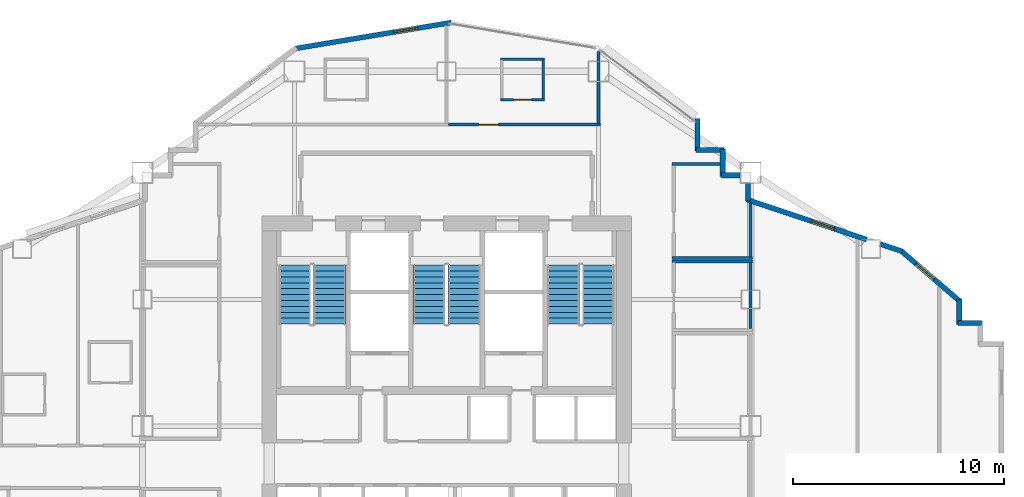
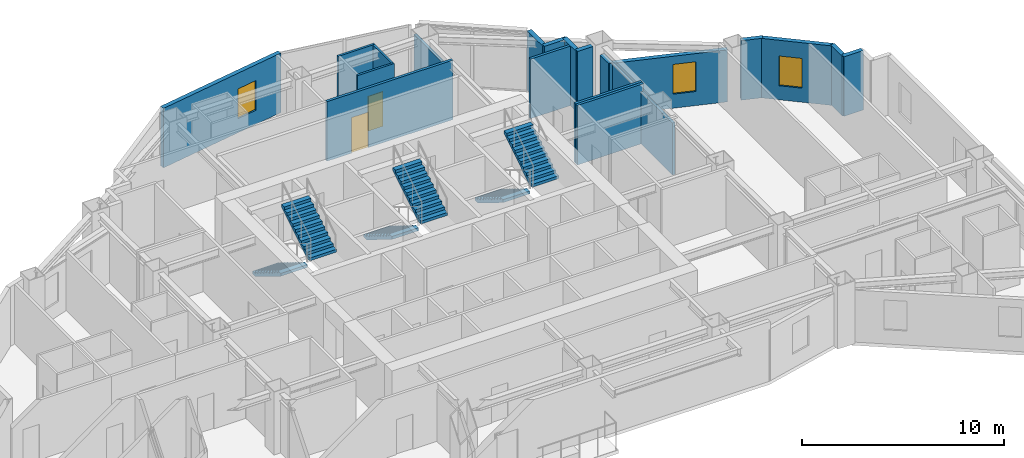
# One storey, part 12 of 14: 21 walls, 6 stair flights, 3 windows, 2 doors, 5 openings, 3 elements without a shape of their own.
"""IFC4 building model written with IfcOpenShell, lengths in metres."""

import ifcopenshell
import ifcopenshell.guid

model = None  # the IFC model being written
_history = None  # IfcOwnerHistory: only IFC2X3 demands one
_inside = {}  # id of a spatial element -> (the spatial element, [elements in it])
_under = {}  # id of a project, library or spatial element -> (it, [spatial elements below it])
_declared = {}  # id of a project -> (the project, [libraries it declares])
_typed = {}  # id of a type object -> (the type object, [elements of that type])
_made_of = {}  # id of a material, layer set ... -> (it, [elements and type objects made of it])


def new_model(schema):
    """Start an empty IFC model of exactly this schema.

    Asked for "IFC4X3", IfcOpenShell would pick the latest addendum, in which some entities
    have other attributes; the version numbers below select the first issue.
    IFC2X3 requires an IfcOwnerHistory on every rooted entity: one is made here for all.
    """
    global model, _history
    if schema == "IFC4X3":
        model = ifcopenshell.file(schema_version=(4, 3, 0, 0))
    else:
        model = ifcopenshell.file(schema=schema)
    _inside.clear()
    _under.clear()
    _declared.clear()
    _typed.clear()
    _made_of.clear()
    _history = None
    if model.schema == "IFC2X3":
        org = make("IfcOrganization", Name="unknown")
        user = make(
            "IfcPersonAndOrganization",
            ThePerson=make("IfcPerson", FamilyName="unknown"),
            TheOrganization=org,
        )
        app = make(
            "IfcApplication",
            ApplicationDeveloper=org,
            Version="unknown",
            ApplicationFullName="unknown",
            ApplicationIdentifier="unknown",
        )
        _history = make(
            "IfcOwnerHistory",
            OwningUser=user,
            OwningApplication=app,
            ChangeAction="ADDED",
            CreationDate=0,
        )
    return model


def make(cls, **values):
    """One entity of the class cls with the attributes given. An attribute that is None is left unset."""
    return model.create_entity(
        cls, **{name: value for name, value in values.items() if value is not None}
    )


def rooted(cls, **values):
    """An entity with a GlobalId (a new one), such as an element, a storey or a relation."""
    return make(cls, GlobalId=ifcopenshell.guid.new(), OwnerHistory=_history, **values)


def si_unit(unit_type, name, prefix=None):
    """IfcSIUnit, for example si_unit("LENGTHUNIT", "METRE", prefix="MILLI")."""
    return make("IfcSIUnit", UnitType=unit_type, Prefix=prefix, Name=name)


def assignment(units):
    """IfcUnitAssignment: the units of a project."""
    return None if units is None else make("IfcUnitAssignment", Units=units)


def point(xyz):
    """IfcCartesianPoint."""
    return None if xyz is None else make("IfcCartesianPoint", Coordinates=xyz)


def direction(xyz):
    """IfcDirection."""
    return None if xyz is None else make("IfcDirection", DirectionRatios=xyz)


def frame(location, z_axis=None, x_axis=None):
    """IfcAxis2Placement3D, a coordinate frame: its origin and axes. An axis left out is left unset."""
    return make(
        "IfcAxis2Placement3D",
        Location=point(location),
        Axis=direction(z_axis),
        RefDirection=direction(x_axis),
    )


def frame_2d(location, x_axis=None):
    """IfcAxis2Placement2D, a coordinate frame in the plane: its origin and x axis."""
    return make(
        "IfcAxis2Placement2D", Location=point(location), RefDirection=direction(x_axis)
    )


def origin():
    """The frame at (0, 0, 0) with its axes left unset."""
    return frame((0.0, 0.0, 0.0))


def place(relative_to, where):
    """IfcLocalPlacement: puts the frame where relative to a parent placement (None: the world)."""
    return make(
        "IfcLocalPlacement", PlacementRelTo=relative_to, RelativePlacement=where
    )


def context(
    kind, dimensions, precision=None, world=None, true_north=None, identifier=None
):
    """IfcGeometricRepresentationContext, for example the 3D "Model" context."""
    return make(
        "IfcGeometricRepresentationContext",
        ContextIdentifier=identifier,
        ContextType=kind,
        CoordinateSpaceDimension=dimensions,
        Precision=precision,
        WorldCoordinateSystem=world,
        TrueNorth=true_north,
    )


def subcontext(parent, identifier, kind, view, scale=None):
    """IfcGeometricRepresentationSubContext, for example "Body" below "Model"."""
    return make(
        "IfcGeometricRepresentationSubContext",
        ContextIdentifier=identifier,
        ContextType=kind,
        ParentContext=parent,
        TargetScale=scale,
        TargetView=view,
    )


def project(units=None, contexts=None):
    """IfcProject with its units and contexts."""
    return rooted(
        "IfcProject",
        Name="project",
        RepresentationContexts=contexts,
        UnitsInContext=assignment(units),
    )


def spatial(cls, under=None, at=None, **own):
    """A site, building, storey or space (cls), placed at a placement, below another one or the project."""
    s = rooted(cls, ObjectPlacement=at, **own)
    if under is not None:
        _under.setdefault(under.id(), (under, []))[1].append(s)
    return s


def polyline(points):
    """IfcPolyline through the points."""
    return make("IfcPolyline", Points=[point(p) for p in points])


def profile(cls, at=None, kind="AREA", **sizes):
    """A parametric profile (cls). Its sizes go by their IFC names, for example OverallWidth=200.0."""
    return make(cls, ProfileType=kind, Position=at, **sizes)


def rectangle(**sizes):
    """IfcRectangleProfileDef."""
    return profile("IfcRectangleProfileDef", **sizes)


def outline(outer, holes=None, kind="AREA"):
    """IfcArbitraryClosedProfileDef: a profile drawn as a closed curve; with holes, ...WithVoids."""
    if holes is None:
        return make("IfcArbitraryClosedProfileDef", ProfileType=kind, OuterCurve=outer)
    return make(
        "IfcArbitraryProfileDefWithVoids",
        ProfileType=kind,
        OuterCurve=outer,
        InnerCurves=holes,
    )


def extrude(swept, where, along, depth):
    """IfcExtrudedAreaSolid: the profile swept, set in the frame where, extruded along a direction by depth."""
    return make(
        "IfcExtrudedAreaSolid",
        SweptArea=swept,
        Position=where,
        ExtrudedDirection=direction(along),
        Depth=depth,
    )


def shape(context_of_items, identifier, shape_type, items):
    """IfcShapeRepresentation: the items that make up one representation, for example the "Body"."""
    return make(
        "IfcShapeRepresentation",
        ContextOfItems=context_of_items,
        RepresentationIdentifier=identifier,
        RepresentationType=shape_type,
        Items=items,
    )


def material(Name=None, Category=None):
    """IfcMaterial."""
    return make("IfcMaterial", Name=Name, Category=Category)


def layer(
    of_material, thickness, ventilated=None, Name=None, Category=None, Priority=None
):
    """IfcMaterialLayer: one layer of a wall or slab, of a material (None: an air gap)."""
    return make(
        "IfcMaterialLayer",
        Material=of_material,
        LayerThickness=thickness,
        IsVentilated=ventilated,
        Name=Name,
        Category=Category,
        Priority=Priority,
    )


def layer_set(layers, Name=None):
    """IfcMaterialLayerSet."""
    return make("IfcMaterialLayerSet", MaterialLayers=layers, LayerSetName=Name)


def made_of(thing, what):
    """Note that an element or type object is made of a material, layer set ...; save() writes the relation."""
    if what is not None:
        _made_of.setdefault(what.id(), (what, []))[1].append(thing)
    return thing


def type_object(cls, material=None, **own):
    """A type object (cls), such as IfcWallType, which elements share."""
    return made_of(rooted(cls, **own), material)


def element(
    cls,
    number,
    at=None,
    inside=None,
    cuts=None,
    type_object=None,
    material=None,
    context=None,
    identifier="Body",
    shape_type=None,
    held_by="IfcProductDefinitionShape",
    body=None,
    shapes=None,
    **own,
):
    """One element of the class cls, such as IfcWall. Its Tag is "e" and its number.

    at: its placement. inside: the storey or other place that contains it. cuts: it is an
    opening in that element (IfcRelVoidsElement). A single representation is given by context,
    identifier, shape_type and body (its items); several are given by shapes. held_by: the class
    of the entity that holds the representations. save() writes the other relations.
    """
    e = rooted(cls, Tag="e%d" % number, ObjectPlacement=at, **own)
    if body is not None:
        shapes = [shape(context, identifier, shape_type, body)]
    if shapes is not None:
        e.Representation = make(held_by, Representations=shapes)
    if inside is not None:
        _inside.setdefault(inside.id(), (inside, []))[1].append(e)
    if cuts is not None:
        rooted(
            "IfcRelVoidsElement", RelatingBuildingElement=cuts, RelatedOpeningElement=e
        )
    if type_object is not None:
        _typed.setdefault(type_object.id(), (type_object, []))[1].append(e)
    return made_of(e, material)


def fill(opening, filler):
    """IfcRelFillsElement: the door or window that sits in an opening."""
    return rooted(
        "IfcRelFillsElement",
        RelatingOpeningElement=opening,
        RelatedBuildingElement=filler,
    )


def aggregate(whole, parts):
    """IfcRelAggregates: a whole, such as a stair, and the parts it consists of."""
    return rooted("IfcRelAggregates", RelatingObject=whole, RelatedObjects=parts)


def save(model, path):
    """Write the relations noted so far, then the file.

    IfcRelAggregates (storeys below a building ...), IfcRelContainedInSpatialStructure (elements
    in a storey), IfcRelDefinesByType, IfcRelAssociatesMaterial and IfcRelDeclares: one each for
    every whole, place, type object, material and project.
    """
    for whole, parts in _under.values():
        aggregate(whole, parts)
    for where, things in _inside.values():
        rooted(
            "IfcRelContainedInSpatialStructure",
            RelatedElements=things,
            RelatingStructure=where,
        )
    for kind, things in _typed.values():
        rooted("IfcRelDefinesByType", RelatedObjects=things, RelatingType=kind)
    for what, things in _made_of.values():
        rooted("IfcRelAssociatesMaterial", RelatedObjects=things, RelatingMaterial=what)
    for by, libraries in _declared.values():
        rooted("IfcRelDeclares", RelatingContext=by, RelatedDefinitions=libraries)
    model.write(path)


model = new_model("IFC4")

# Units and contexts
model_context = context("Model", 3, precision=1e-05, world=origin(), true_north=direction((0.0, 1.0)))
body_context = subcontext(model_context, "Body", "Model", "MODEL_VIEW")
ifc_project = project(units=[si_unit("LENGTHUNIT", "METRE"), si_unit("AREAUNIT", "SQUARE_METRE"), si_unit("VOLUMEUNIT", "CUBIC_METRE"), si_unit("PLANEANGLEUNIT", "RADIAN"), si_unit("MASSUNIT", "GRAM", prefix="KILO")], contexts=[model_context])

# Site, building, storey
site_placement = place(None, origin())
site = spatial("IfcSite", under=ifc_project, at=site_placement, CompositionType="ELEMENT")
building_placement = place(site_placement, origin())
building = spatial("IfcBuilding", under=site, at=building_placement, Name="Haolan Belvedere Tower", CompositionType="ELEMENT")
storey_placement = place(building_placement, frame((0.0, 0.0, 148.60009765625)))
storey = spatial("IfcBuildingStorey", under=building, at=storey_placement, Name="L37", CompositionType="ELEMENT", Elevation=148.60009765625)

# Walls
ifc_material_1 = material(Name="Precast concrete C40/50", Category="concrete")
ifc_layer_1 = layer(ifc_material_1, 0.239990234375, Name="Precast concrete C40/50")
ifc_layer_set_1 = layer_set([ifc_layer_1], Name="Precast concrete C40/50")
wall_type_1 = type_object("IfcWallType", Name="WL-EXT-240", PredefinedType="SOLIDWALL", material=ifc_layer_set_1)
wall_1_placement = place(storey_placement, frame((63.735107421875, 38.47998046875, 0.0), z_axis=(0.0, 0.0, 1.0), x_axis=(-1.0, 0.0, 0.0)))
element("IfcWall", 1, at=wall_1_placement, inside=storey, type_object=wall_type_1, Name="L37 pale-metal exterior spandrel wall 17.1", PredefinedType="SOLIDWALL", context=body_context, shape_type="SweptSolid", body=[
    extrude(rectangle(XDim=1.110107421875, YDim=0.239990234375, at=frame_2d((0.55517578125, 0.0))), origin(), (0.0, 0.0, 1.0), 3.599853515625),
])
wall_2_placement = place(storey_placement, frame((62.679931640625, 38.425048828125, 0.0), z_axis=(0.0, 0.0, 1.0), x_axis=(0.0, 1.0, 0.0)))
element("IfcWall", 2, at=wall_2_placement, inside=storey, type_object=wall_type_1, Name="L37 pale-metal exterior spandrel wall 18.1", PredefinedType="SOLIDWALL", context=body_context, shape_type="SweptSolid", body=[
    extrude(rectangle(XDim=1.1748046875, YDim=0.239990234375, at=frame_2d((0.58740234375, 0.0))), origin(), (0.0, 0.0, 1.0), 3.599853515625),
])

# Wall, opening, window
wall_3_placement = place(storey_placement, frame((62.7216796875, 39.509033203125, 0.0), z_axis=(0.0, 0.0, 1.0), x_axis=(-0.759247334792, 0.650802185469, 0.0)))
wall_3 = element("IfcWall", 3, at=wall_3_placement, inside=storey, type_object=wall_type_1, Name="L37 pale-metal exterior spandrel wall 19.1", PredefinedType="SOLIDWALL", context=body_context, shape_type="SweptSolid", body=[
    extrude(rectangle(XDim=3.71923828125, YDim=0.239990234375, at=frame_2d((1.859619140625, 0.0))), origin(), (0.0, 0.0, 1.0), 3.599853515625),
])
opening_1_placement = place(wall_3_placement, frame((1.60009765625, 0.0, 0.85009765625)))
opening_1 = element("IfcOpeningElement", 4, at=opening_1_placement, cuts=wall_3, Name="Opening W-02", PredefinedType="OPENING", context=body_context, shape_type="SweptSolid", body=[
    extrude(rectangle(XDim=1.14990234375, YDim=1.800048828125, at=frame_2d((0.574951171875, 0.89990234375))), frame((0.0, 0.1298828125, 0.0), z_axis=(0.0, -1.0, 0.0), x_axis=(1.0, 0.0, 0.0)), (0.0, 0.0, 1.0), 0.260009765625),
])
ifc_material_2 = material(Name="Anodised aluminium 6063-T6 and Low-E glass", Category="aluminium")
window_type = type_object("IfcWindowType", Name="WN-DECO-Z2", PartitioningType="SINGLE_PANEL", PredefinedType="WINDOW", material=ifc_material_2)
window_1_placement = place(opening_1_placement, origin())
window_1 = element("IfcWindow", 5, at=window_1_placement, inside=storey, type_object=window_type, Name="L37 Art Deco chevron window 1", OverallHeight=1.800048828125, OverallWidth=1.14990234375, PartitioningType="SINGLE_PANEL", PredefinedType="WINDOW", context=body_context, shape_type="SweptSolid", body=[
    extrude(rectangle(XDim=1.14990234375, YDim=1.800048828125, at=frame_2d((0.574951171875, 0.89990234375))), frame((0.0, 0.030029296875, 0.0), z_axis=(0.0, -1.0, 0.0), x_axis=(1.0, 0.0, 0.0)), (0.0, 0.0, 1.0), 0.06005859375),
])
fill(opening_1, window_1)

# Wall
wall_4_placement = place(storey_placement, frame((59.991943359375, 41.876220703125, 0.0), z_axis=(0.0, 0.0, 1.0), x_axis=(-0.948661238983, 0.316293935527, 0.0)))
element("IfcWall", 6, at=wall_4_placement, inside=storey, type_object=wall_type_1, Name="L37 pale-metal exterior spandrel wall 20.1", PredefinedType="SOLIDWALL", context=body_context, shape_type="SweptSolid", body=[
    extrude(rectangle(XDim=1.10693359375, YDim=0.239990234375, at=frame_2d((0.553466796875, 0.0))), origin(), (0.0, 0.0, 1.0), 3.599853515625),
])

# Wall, opening, window
wall_5_placement = place(storey_placement, frame((58.294677734375, 42.44189453125, 0.0), z_axis=(0.0, 0.0, 1.0), x_axis=(-0.948687385027, 0.316215504823, 0.0)))
wall_5 = element("IfcWall", 7, at=wall_5_placement, inside=storey, type_object=wall_type_1, Name="L37 pale-metal exterior spandrel wall 20.2", PredefinedType="SOLIDWALL", context=body_context, shape_type="SweptSolid", body=[
    extrude(rectangle(XDim=5.973388671875, YDim=0.239990234375, at=frame_2d((2.98681640625, 0.0))), origin(), (0.0, 0.0, 1.0), 3.14501953125),
])
opening_2_placement = place(wall_5_placement, frame((1.60009765625, 0.0, 0.85009765625)))
opening_2 = element("IfcOpeningElement", 8, at=opening_2_placement, cuts=wall_5, Name="Opening W-02", PredefinedType="OPENING", context=body_context, shape_type="SweptSolid", body=[
    extrude(rectangle(XDim=1.14990234375, YDim=1.800048828125, at=frame_2d((0.574951171875, 0.89990234375))), frame((0.0, 0.1298828125, 0.0), z_axis=(0.0, -1.0, 0.0), x_axis=(1.0, 0.0, 0.0)), (0.0, 0.0, 1.0), 0.260009765625),
])
window_2_placement = place(opening_2_placement, origin())
window_2 = element("IfcWindow", 9, at=window_2_placement, inside=storey, type_object=window_type, Name="L37 Art Deco chevron window 1", OverallHeight=1.800048828125, OverallWidth=1.14990234375, PartitioningType="SINGLE_PANEL", PredefinedType="WINDOW", context=body_context, shape_type="SweptSolid", body=[
    extrude(rectangle(XDim=1.14990234375, YDim=1.800048828125, at=frame_2d((0.574951171875, 0.89990234375))), frame((0.0, 0.030029296875, 0.0), z_axis=(0.0, -1.0, 0.0), x_axis=(1.0, 0.0, 0.0)), (0.0, 0.0, 1.0), 0.06005859375),
])
fill(opening_2, window_2)

# Walls
wall_6_placement = place(storey_placement, frame((52.679931640625, 44.258544921875, 0.0), z_axis=(0.0, 0.0, 1.0), x_axis=(0.0, 1.0, 0.0)))
element("IfcWall", 10, at=wall_6_placement, inside=storey, type_object=wall_type_1, Name="L37 pale-metal exterior spandrel wall 21.1", PredefinedType="SOLIDWALL", context=body_context, shape_type="SweptSolid", body=[
    extrude(rectangle(XDim=0.849365234375, YDim=0.239990234375, at=frame_2d((0.4248046875, 0.0))), origin(), (0.0, 0.0, 1.0), 3.14501953125),
])
wall_7_placement = place(storey_placement, frame((52.30810546875, 45.47998046875, 0.0), z_axis=(0.0, 0.0, 1.0), x_axis=(-1.0, 0.0, 0.0)))
element("IfcWall", 11, at=wall_7_placement, inside=storey, type_object=wall_type_1, Name="L37 pale-metal exterior spandrel wall 22.1", PredefinedType="SOLIDWALL", context=body_context, shape_type="SweptSolid", body=[
    extrude(rectangle(XDim=0.883056640625, YDim=0.239990234375, at=frame_2d((0.44140625, 0.0))), origin(), (0.0, 0.0, 1.0), 3.599853515625),
])
wall_8_placement = place(storey_placement, frame((51.47998046875, 45.425048828125, 0.0), z_axis=(0.0, 0.0, 1.0), x_axis=(0.0, 1.0, 0.0)))
element("IfcWall", 12, at=wall_8_placement, inside=storey, type_object=wall_type_1, Name="L37 pale-metal exterior spandrel wall 23.1", PredefinedType="SOLIDWALL", context=body_context, shape_type="SweptSolid", body=[
    extrude(rectangle(XDim=1.31005859375, YDim=0.239990234375, at=frame_2d((0.655029296875, 0.0))), origin(), (0.0, 0.0, 1.0), 3.599853515625),
])
wall_9_placement = place(storey_placement, frame((51.534912109375, 46.679931640625, 0.0), z_axis=(0.0, 0.0, 1.0), x_axis=(-1.0, 0.0, 0.0)))
element("IfcWall", 13, at=wall_9_placement, inside=storey, type_object=wall_type_1, Name="L37 pale-metal exterior spandrel wall 24.1", PredefinedType="SOLIDWALL", context=body_context, shape_type="SweptSolid", body=[
    extrude(rectangle(XDim=1.309814453125, YDim=0.239990234375, at=frame_2d((0.65478515625, 0.0))), origin(), (0.0, 0.0, 1.0), 3.599853515625),
])
wall_10_placement = place(storey_placement, frame((50.280029296875, 46.625, 0.0), z_axis=(0.0, 0.0, 1.0), x_axis=(0.0, 1.0, 0.0)))
element("IfcWall", 14, at=wall_10_placement, inside=storey, type_object=wall_type_1, Name="L37 pale-metal exterior spandrel wall 25.1", PredefinedType="SOLIDWALL", context=body_context, shape_type="SweptSolid", body=[
    extrude(rectangle(XDim=1.5400390625, YDim=0.239990234375, at=frame_2d((0.77001953125, 0.0))), origin(), (0.0, 0.0, 1.0), 3.599853515625),
])

# Wall, opening, window
wall_11_placement = place(storey_placement, frame((38.621826171875, 52.71533203125, 0.0), z_axis=(0.0, 0.0, 1.0), x_axis=(-0.98639129485, -0.164414760418, 0.0)))
wall_11 = element("IfcWall", 15, at=wall_11_placement, inside=storey, type_object=wall_type_1, Name="L37 pale-metal exterior spandrel wall 28.1", PredefinedType="SOLIDWALL", context=body_context, shape_type="SweptSolid", body=[
    extrude(rectangle(XDim=7.530029296875, YDim=0.239990234375, at=frame_2d((3.76513671875, 0.0))), origin(), (0.0, 0.0, 1.0), 3.599853515625),
])
opening_3_placement = place(wall_11_placement, frame((1.60009765625, 0.0, 0.85009765625)))
opening_3 = element("IfcOpeningElement", 16, at=opening_3_placement, cuts=wall_11, Name="Opening W-02", PredefinedType="OPENING", context=body_context, shape_type="SweptSolid", body=[
    extrude(rectangle(XDim=1.14990234375, YDim=1.800048828125, at=frame_2d((0.574951171875, 0.89990234375))), frame((0.0, 0.1298828125, 0.0), z_axis=(0.0, -1.0, 0.0), x_axis=(1.0, 0.0, 0.0)), (0.0, 0.0, 1.0), 0.260009765625),
])
window_3_placement = place(opening_3_placement, origin())
window_3 = element("IfcWindow", 17, at=window_3_placement, inside=storey, type_object=window_type, Name="L37 Art Deco chevron window 1", OverallHeight=1.800048828125, OverallWidth=1.14990234375, PartitioningType="SINGLE_PANEL", PredefinedType="WINDOW", context=body_context, shape_type="SweptSolid", body=[
    extrude(rectangle(XDim=1.14990234375, YDim=1.800048828125, at=frame_2d((0.574951171875, 0.89990234375))), frame((0.0, 0.030029296875, 0.0), z_axis=(0.0, -1.0, 0.0), x_axis=(1.0, 0.0, 0.0)), (0.0, 0.0, 1.0), 0.06005859375),
])
fill(opening_3, window_3)

# Walls
ifc_material_3 = material(Name="Double gypsum acoustic stud partition", Category="masonry")
ifc_layer_2 = layer(ifc_material_3, 0.14990234375, Name="Double gypsum acoustic stud partition")
ifc_layer_set_2 = layer_set([ifc_layer_2], Name="Double gypsum acoustic stud partition")
wall_type_2 = type_object("IfcWallType", Name="WL-PART-150", PredefinedType="PARTITIONING", material=ifc_layer_set_2)
wall_12_placement = place(storey_placement, frame((49.080078125, 41.39990234375, 0.0), z_axis=(0.0, 0.0, 1.0), x_axis=(1.0, 0.0, 0.0)))
element("IfcWall", 18, at=wall_12_placement, inside=storey, type_object=wall_type_2, Name="L37 interior partition IW-L37-AWC-N", PredefinedType="PARTITIONING", context=body_context, shape_type="SweptSolid", body=[
    extrude(rectangle(XDim=3.7998046875, YDim=0.14990234375, at=frame_2d((1.89990234375, 0.0))), origin(), (0.0, 0.0, 1.0), 3.599853515625),
])
wall_13_placement = place(storey_placement, frame((52.800048828125, 38.219970703125, 0.0), z_axis=(0.0, 0.0, 1.0), x_axis=(0.0, 1.0, 0.0)))
element("IfcWall", 19, at=wall_13_placement, inside=storey, type_object=wall_type_2, Name="L37 interior partition IW-L37-AWC-E", PredefinedType="PARTITIONING", context=body_context, shape_type="SweptSolid", body=[
    extrude(rectangle(XDim=3.1201171875, YDim=0.14990234375, at=frame_2d((1.56005859375, 0.0))), origin(), (0.0, 0.0, 1.0), 3.14501953125),
])
wall_14_placement = place(storey_placement, frame((49.080078125, 46.02001953125, 0.0), z_axis=(0.0, 0.0, 1.0), x_axis=(1.0, 0.0, 0.0)))
element("IfcWall", 20, at=wall_14_placement, inside=storey, type_object=wall_type_2, Name="L37 interior partition IW-L37-CLN-N", PredefinedType="PARTITIONING", context=body_context, shape_type="SweptSolid", body=[
    extrude(rectangle(XDim=2.294921875, YDim=0.14990234375, at=frame_2d((1.1474609375, 0.0))), origin(), (0.0, 0.0, 1.0), 3.599853515625),
])
wall_15_placement = place(storey_placement, frame((49.080078125, 41.56005859375, 0.0), z_axis=(0.0, 0.0, 1.0), x_axis=(1.0, 0.0, 0.0)))
element("IfcWall", 21, at=wall_15_placement, inside=storey, type_object=wall_type_2, Name="L37 interior partition IW-L37-CLN-S", PredefinedType="PARTITIONING", context=body_context, shape_type="SweptSolid", body=[
    extrude(rectangle(XDim=3.7998046875, YDim=0.14990234375, at=frame_2d((1.89990234375, 0.0))), origin(), (0.0, 0.0, 1.0), 3.599853515625),
])
wall_16_placement = place(storey_placement, frame((52.800048828125, 41.6201171875, 0.0), z_axis=(0.0, 0.0, 1.0), x_axis=(0.0, 1.0, 0.0)))
element("IfcWall", 22, at=wall_16_placement, inside=storey, type_object=wall_type_2, Name="L37 interior partition IW-L37-CLN-E", PredefinedType="PARTITIONING", context=body_context, shape_type="SweptSolid", body=[
    extrude(rectangle(XDim=2.542724609375, YDim=0.14990234375, at=frame_2d((1.271484375, 0.0))), origin(), (0.0, 0.0, 1.0), 3.14501953125),
])

# Wall, opening, door
wall_17_placement = place(storey_placement, frame((38.501953125, 47.8798828125, 0.0), z_axis=(0.0, 0.0, 1.0), x_axis=(1.0, 0.0, 0.0)))
wall_17 = element("IfcWall", 23, at=wall_17_placement, inside=storey, type_object=wall_type_2, Name="L37 interior partition IW-L37-KN2-S", PredefinedType="PARTITIONING", context=body_context, shape_type="SweptSolid", body=[
    extrude(rectangle(XDim=7.197998046875, YDim=0.14990234375, at=frame_2d((3.59912109375, 0.0))), origin(), (0.0, 0.0, 1.0), 3.599853515625),
])
opening_4_placement = place(wall_17_placement, frame((1.41748046875, 0.0, 0.0)))
opening_4 = element("IfcOpeningElement", 24, at=opening_4_placement, cuts=wall_17, Name="Opening ID-02", PredefinedType="OPENING", context=body_context, shape_type="SweptSolid", body=[
    extrude(rectangle(XDim=0.949951171875, YDim=2.14990234375, at=frame_2d((0.47509765625, 1.074951171875))), frame((0.0, 0.0849609375, 0.0), z_axis=(0.0, -1.0, 0.0), x_axis=(1.0, 0.0, 0.0)), (0.0, 0.0, 1.0), 0.169921875),
])
ifc_material_4 = material(Name="Acoustic oak veneer fire-rated timber", Category="wood")
door_type_1 = type_object("IfcDoorType", Name="DR-GUEST-950", OperationType="NOTDEFINED", PredefinedType="DOOR", material=ifc_material_4)
door_1_placement = place(opening_4_placement, origin())
door_1 = element("IfcDoor", 25, at=door_1_placement, inside=storey, type_object=door_type_1, Name="L37 door ID-L37-KN2-ENT", OperationType="SINGLE_SWING_LEFT", OverallHeight=2.14990234375, OverallWidth=0.949951171875, PredefinedType="DOOR", context=body_context, shape_type="SweptSolid", body=[
    extrude(rectangle(XDim=0.949951171875, YDim=2.14990234375, at=frame_2d((0.47509765625, 1.074951171875))), frame((0.0, 0.02490234375, 0.0), z_axis=(0.0, -1.0, 0.0), x_axis=(1.0, 0.0, 0.0)), (0.0, 0.0, 1.0), 0.050048828125),
])
fill(opening_4, door_1)

# Walls
wall_18_placement = place(storey_placement, frame((45.60009765625, 47.93994140625, 0.0), z_axis=(0.0, 0.0, 1.0), x_axis=(0.0, 1.0, 0.0)))
element("IfcWall", 26, at=wall_18_placement, inside=storey, type_object=wall_type_2, Name="L37 interior partition IW-L37-KN2-E", PredefinedType="PARTITIONING", context=body_context, shape_type="SweptSolid", body=[
    extrude(rectangle(XDim=3.39501953125, YDim=0.14990234375, at=frame_2d((1.697509765625, 0.0))), origin(), (0.0, 0.0, 1.0), 3.0849609375),
])
ifc_material_5 = material(Name="Moisture-resistant gypsum tile partition", Category="masonry")
ifc_layer_3 = layer(ifc_material_5, 0.1201171875, Name="Moisture-resistant gypsum tile partition")
ifc_layer_set_3 = layer_set([ifc_layer_3], Name="Moisture-resistant gypsum tile partition")
wall_type_3 = type_object("IfcWallType", Name="WL-WET-120", PredefinedType="PARTITIONING", material=ifc_layer_set_3)
wall_19_placement = place(storey_placement, frame((40.949951171875, 50.97998046875, 0.0), z_axis=(0.0, 0.0, 1.0), x_axis=(1.0, 0.0, 0.0)))
element("IfcWall", 27, at=wall_19_placement, inside=storey, type_object=wall_type_3, Name="L37 interior partition IW-L37-KN2-BN", PredefinedType="PARTITIONING", context=body_context, shape_type="SweptSolid", body=[
    extrude(rectangle(XDim=2.10009765625, YDim=0.1201171875, at=frame_2d((1.050048828125, 0.0))), origin(), (0.0, 0.0, 1.0), 3.599853515625),
])

# Wall, opening, door
wall_20_placement = place(storey_placement, frame((40.949951171875, 49.06005859375, 0.0), z_axis=(0.0, 0.0, 1.0), x_axis=(1.0, 0.0, 0.0)))
wall_20 = element("IfcWall", 28, at=wall_20_placement, inside=storey, type_object=wall_type_3, Name="L37 interior partition IW-L37-KN2-BS", PredefinedType="PARTITIONING", context=body_context, shape_type="SweptSolid", body=[
    extrude(rectangle(XDim=2.10009765625, YDim=0.1201171875, at=frame_2d((1.050048828125, 0.0))), origin(), (0.0, 0.0, 1.0), 3.599853515625),
])
opening_5_placement = place(wall_20_placement, frame((0.625, 0.0, 0.0)))
opening_5 = element("IfcOpeningElement", 29, at=opening_5_placement, cuts=wall_20, Name="Opening ID-05", PredefinedType="OPENING", context=body_context, shape_type="SweptSolid", body=[
    extrude(rectangle(XDim=0.85009765625, YDim=2.10009765625, at=frame_2d((0.425048828125, 1.050048828125))), frame((0.0, 0.070068359375, 0.0), z_axis=(0.0, -1.0, 0.0), x_axis=(1.0, 0.0, 0.0)), (0.0, 0.0, 1.0), 0.14013671875),
])
ifc_material_6 = material(Name="Moisture-resistant lacquered timber", Category="wood")
door_type_2 = type_object("IfcDoorType", Name="DR-BATH-850", OperationType="NOTDEFINED", PredefinedType="DOOR", material=ifc_material_6)
door_2_placement = place(opening_5_placement, origin())
door_2 = element("IfcDoor", 30, at=door_2_placement, inside=storey, type_object=door_type_2, Name="L37 door ID-L37-KN2-BATH", OperationType="SINGLE_SWING_RIGHT", OverallHeight=2.10009765625, OverallWidth=0.85009765625, PredefinedType="DOOR", context=body_context, shape_type="SweptSolid", body=[
    extrude(rectangle(XDim=0.85009765625, YDim=2.10009765625, at=frame_2d((0.425048828125, 1.050048828125))), frame((0.0, 0.02490234375, 0.0), z_axis=(0.0, -1.0, 0.0), x_axis=(1.0, 0.0, 0.0)), (0.0, 0.0, 1.0), 0.050048828125),
])
fill(opening_5, door_2)

# Wall
wall_21_placement = place(storey_placement, frame((42.989990234375, 49.10498046875, 0.0), z_axis=(0.0, 0.0, 1.0), x_axis=(0.0, 1.0, 0.0)))
element("IfcWall", 31, at=wall_21_placement, inside=storey, type_object=wall_type_3, Name="L37 interior partition IW-L37-KN2-BE", PredefinedType="PARTITIONING", context=body_context, shape_type="SweptSolid", body=[
    extrude(rectangle(XDim=1.830078125, YDim=0.1201171875, at=frame_2d((0.9150390625, 0.0))), origin(), (0.0, 0.0, 1.0), 3.599853515625),
])

# Stair, stair flights
ifc_material_7 = material(Name="Concrete C40/50", Category="concrete")
stair_type = type_object("IfcStairType", Name="STR-DL-22R-173", PredefinedType="HALF_TURN_STAIR", material=ifc_material_7)
stair_1_placement = place(storey_placement, origin())
stair_1 = element("IfcStair", 32, at=stair_1_placement, inside=storey, type_object=stair_type, Name="L37 Smokeproof Core Exit Stair ST1", PredefinedType="HALF_TURN_STAIR")
stair_flight_type = type_object("IfcStairFlightType", Name="SFL-DL-11R-173", PredefinedType="STRAIGHT", material=ifc_material_7)
stair_flight_1_placement = place(storey_placement, frame((31.2099609375, 41.22998046875, 0.0), z_axis=(0.0, 0.0, 1.0), x_axis=(0.0, -1.0, 0.0)))
stair_flight_1 = element("IfcStairFlight", 33, at=stair_flight_1_placement, type_object=stair_flight_type, Name="ST1 flight 1", NumberOfRisers=11, NumberOfTreads=10, PredefinedType="STRAIGHT", RiserHeight=0.172727273, TreadLength=0.28, context=body_context, shape_type="SweptSolid", body=[
    extrude(outline(polyline([(0.0, 0.0), (0.0, 0.172607421875), (0.280029296875, 0.172607421875), (0.280029296875, 0.345458984375), (0.56005859375, 0.345458984375), (0.56005859375, 0.51806640625), (0.840087890625, 0.51806640625), (0.840087890625, 0.69091796875), (1.1201171875, 0.69091796875), (1.1201171875, 0.863525390625), (1.39990234375, 0.863525390625), (1.39990234375, 1.036376953125), (1.679931640625, 1.036376953125), (1.679931640625, 1.208984375), (1.9599609375, 1.208984375), (1.9599609375, 1.3818359375), (2.239990234375, 1.3818359375), (2.239990234375, 1.554443359375), (2.52001953125, 1.554443359375), (2.52001953125, 1.727294921875), (2.800048828125, 1.727294921875), (2.800048828125, 1.89990234375), (2.800048828125, 1.551025390625), (0.285400390625, 0.0), (0.0, 0.0)])), frame((0.0, 0.760009765625, 0.0), z_axis=(0.0, -1.0, 0.0), x_axis=(1.0, 0.0, 0.0)), (0.0, 0.0, 1.0), 1.52001953125),
])
stair_flight_2_placement = place(storey_placement, frame((32.8701171875, 38.429931640625, 1.89990234375), z_axis=(0.0, 0.0, 1.0), x_axis=(0.0, 1.0, 0.0)))
stair_flight_2 = element("IfcStairFlight", 34, at=stair_flight_2_placement, type_object=stair_flight_type, Name="ST1 flight 2", NumberOfRisers=11, NumberOfTreads=10, PredefinedType="STRAIGHT", RiserHeight=0.172727273, TreadLength=0.28, context=body_context, shape_type="SweptSolid", body=[
    extrude(outline(polyline([(0.0, 0.0), (0.0, 0.172607421875), (0.280029296875, 0.172607421875), (0.280029296875, 0.345458984375), (0.56005859375, 0.345458984375), (0.56005859375, 0.51806640625), (0.840087890625, 0.51806640625), (0.840087890625, 0.69091796875), (1.1201171875, 0.69091796875), (1.1201171875, 0.863525390625), (1.39990234375, 0.863525390625), (1.39990234375, 1.036376953125), (1.679931640625, 1.036376953125), (1.679931640625, 1.208984375), (1.9599609375, 1.208984375), (1.9599609375, 1.3818359375), (2.239990234375, 1.3818359375), (2.239990234375, 1.554443359375), (2.52001953125, 1.554443359375), (2.52001953125, 1.727294921875), (2.800048828125, 1.727294921875), (2.800048828125, 1.89990234375), (2.800048828125, 1.551025390625), (0.285400390625, 0.0), (0.0, 0.0)])), frame((0.0, 0.760009765625, 0.0), z_axis=(0.0, -1.0, 0.0), x_axis=(1.0, 0.0, 0.0)), (0.0, 0.0, 1.0), 1.52001953125),
])
aggregate(stair_1, [stair_flight_1, stair_flight_2])

stair_2_placement = place(storey_placement, origin())
stair_2 = element("IfcStair", 35, at=stair_2_placement, inside=storey, type_object=stair_type, Name="L37 Smokeproof Core Exit Stair ST3", PredefinedType="HALF_TURN_STAIR")
stair_flight_3_placement = place(storey_placement, frame((37.570068359375, 41.22998046875, 0.0), z_axis=(0.0, 0.0, 1.0), x_axis=(0.0, -1.0, 0.0)))
stair_flight_3 = element("IfcStairFlight", 36, at=stair_flight_3_placement, type_object=stair_flight_type, Name="ST3 flight 1", NumberOfRisers=11, NumberOfTreads=10, PredefinedType="STRAIGHT", RiserHeight=0.172727273, TreadLength=0.28, context=body_context, shape_type="SweptSolid", body=[
    extrude(outline(polyline([(0.0, 0.0), (0.0, 0.172607421875), (0.280029296875, 0.172607421875), (0.280029296875, 0.345458984375), (0.56005859375, 0.345458984375), (0.56005859375, 0.51806640625), (0.840087890625, 0.51806640625), (0.840087890625, 0.69091796875), (1.1201171875, 0.69091796875), (1.1201171875, 0.863525390625), (1.39990234375, 0.863525390625), (1.39990234375, 1.036376953125), (1.679931640625, 1.036376953125), (1.679931640625, 1.208984375), (1.9599609375, 1.208984375), (1.9599609375, 1.3818359375), (2.239990234375, 1.3818359375), (2.239990234375, 1.554443359375), (2.52001953125, 1.554443359375), (2.52001953125, 1.727294921875), (2.800048828125, 1.727294921875), (2.800048828125, 1.89990234375), (2.800048828125, 1.551025390625), (0.285400390625, 0.0), (0.0, 0.0)])), frame((0.0, 0.760009765625, 0.0), z_axis=(0.0, -1.0, 0.0), x_axis=(1.0, 0.0, 0.0)), (0.0, 0.0, 1.0), 1.52001953125),
])
stair_flight_4_placement = place(storey_placement, frame((39.22998046875, 38.429931640625, 1.89990234375), z_axis=(0.0, 0.0, 1.0), x_axis=(0.0, 1.0, 0.0)))
stair_flight_4 = element("IfcStairFlight", 37, at=stair_flight_4_placement, type_object=stair_flight_type, Name="ST3 flight 2", NumberOfRisers=11, NumberOfTreads=10, PredefinedType="STRAIGHT", RiserHeight=0.172727273, TreadLength=0.28, context=body_context, shape_type="SweptSolid", body=[
    extrude(outline(polyline([(0.0, 0.0), (0.0, 0.172607421875), (0.280029296875, 0.172607421875), (0.280029296875, 0.345458984375), (0.56005859375, 0.345458984375), (0.56005859375, 0.51806640625), (0.840087890625, 0.51806640625), (0.840087890625, 0.69091796875), (1.1201171875, 0.69091796875), (1.1201171875, 0.863525390625), (1.39990234375, 0.863525390625), (1.39990234375, 1.036376953125), (1.679931640625, 1.036376953125), (1.679931640625, 1.208984375), (1.9599609375, 1.208984375), (1.9599609375, 1.3818359375), (2.239990234375, 1.3818359375), (2.239990234375, 1.554443359375), (2.52001953125, 1.554443359375), (2.52001953125, 1.727294921875), (2.800048828125, 1.727294921875), (2.800048828125, 1.89990234375), (2.800048828125, 1.551025390625), (0.285400390625, 0.0), (0.0, 0.0)])), frame((0.0, 0.760009765625, 0.0), z_axis=(0.0, -1.0, 0.0), x_axis=(1.0, 0.0, 0.0)), (0.0, 0.0, 1.0), 1.52001953125),
])
aggregate(stair_2, [stair_flight_3, stair_flight_4])

stair_3_placement = place(storey_placement, origin())
stair_3 = element("IfcStair", 38, at=stair_3_placement, inside=storey, type_object=stair_type, Name="L37 Smokeproof Core Exit Stair ST2", PredefinedType="HALF_TURN_STAIR")
stair_flight_5_placement = place(storey_placement, frame((43.929931640625, 41.22998046875, 0.0), z_axis=(0.0, 0.0, 1.0), x_axis=(0.0, -1.0, 0.0)))
stair_flight_5 = element("IfcStairFlight", 39, at=stair_flight_5_placement, type_object=stair_flight_type, Name="ST2 flight 1", NumberOfRisers=11, NumberOfTreads=10, PredefinedType="STRAIGHT", RiserHeight=0.172727273, TreadLength=0.28, context=body_context, shape_type="SweptSolid", body=[
    extrude(outline(polyline([(0.0, 0.0), (0.0, 0.172607421875), (0.280029296875, 0.172607421875), (0.280029296875, 0.345458984375), (0.56005859375, 0.345458984375), (0.56005859375, 0.51806640625), (0.840087890625, 0.51806640625), (0.840087890625, 0.69091796875), (1.1201171875, 0.69091796875), (1.1201171875, 0.863525390625), (1.39990234375, 0.863525390625), (1.39990234375, 1.036376953125), (1.679931640625, 1.036376953125), (1.679931640625, 1.208984375), (1.9599609375, 1.208984375), (1.9599609375, 1.3818359375), (2.239990234375, 1.3818359375), (2.239990234375, 1.554443359375), (2.52001953125, 1.554443359375), (2.52001953125, 1.727294921875), (2.800048828125, 1.727294921875), (2.800048828125, 1.89990234375), (2.800048828125, 1.551025390625), (0.285400390625, 0.0), (0.0, 0.0)])), frame((0.0, 0.760009765625, 0.0), z_axis=(0.0, -1.0, 0.0), x_axis=(1.0, 0.0, 0.0)), (0.0, 0.0, 1.0), 1.52001953125),
])
stair_flight_6_placement = place(storey_placement, frame((45.590087890625, 38.429931640625, 1.89990234375), z_axis=(0.0, 0.0, 1.0), x_axis=(0.0, 1.0, 0.0)))
stair_flight_6 = element("IfcStairFlight", 40, at=stair_flight_6_placement, type_object=stair_flight_type, Name="ST2 flight 2", NumberOfRisers=11, NumberOfTreads=10, PredefinedType="STRAIGHT", RiserHeight=0.172727273, TreadLength=0.28, context=body_context, shape_type="SweptSolid", body=[
    extrude(outline(polyline([(0.0, 0.0), (0.0, 0.172607421875), (0.280029296875, 0.172607421875), (0.280029296875, 0.345458984375), (0.56005859375, 0.345458984375), (0.56005859375, 0.51806640625), (0.840087890625, 0.51806640625), (0.840087890625, 0.69091796875), (1.1201171875, 0.69091796875), (1.1201171875, 0.863525390625), (1.39990234375, 0.863525390625), (1.39990234375, 1.036376953125), (1.679931640625, 1.036376953125), (1.679931640625, 1.208984375), (1.9599609375, 1.208984375), (1.9599609375, 1.3818359375), (2.239990234375, 1.3818359375), (2.239990234375, 1.554443359375), (2.52001953125, 1.554443359375), (2.52001953125, 1.727294921875), (2.800048828125, 1.727294921875), (2.800048828125, 1.89990234375), (2.800048828125, 1.551025390625), (0.285400390625, 0.0), (0.0, 0.0)])), frame((0.0, 0.760009765625, 0.0), z_axis=(0.0, -1.0, 0.0), x_axis=(1.0, 0.0, 0.0)), (0.0, 0.0, 1.0), 1.52001953125),
])
aggregate(stair_3, [stair_flight_5, stair_flight_6])

save(model, "model.ifc")
